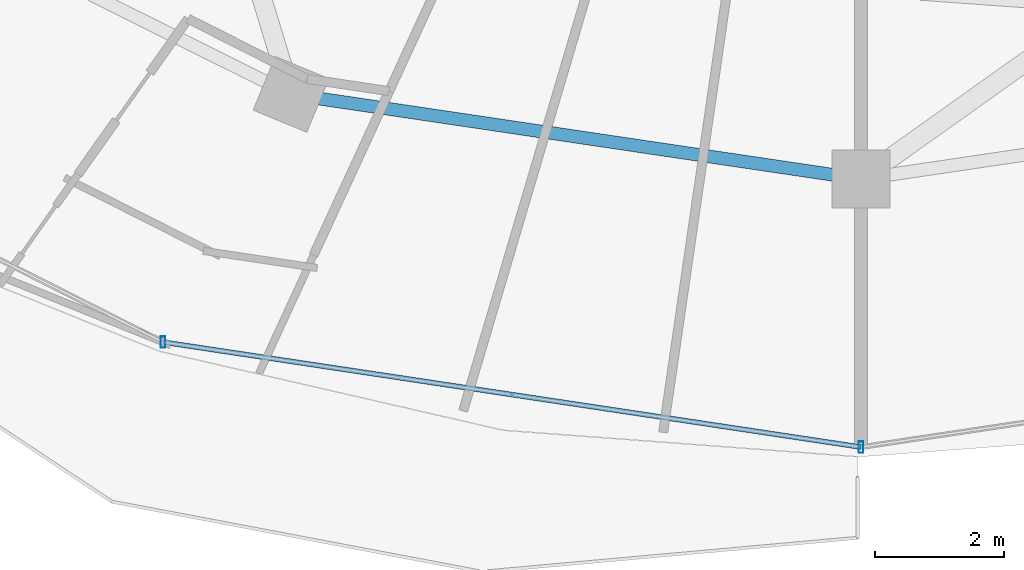
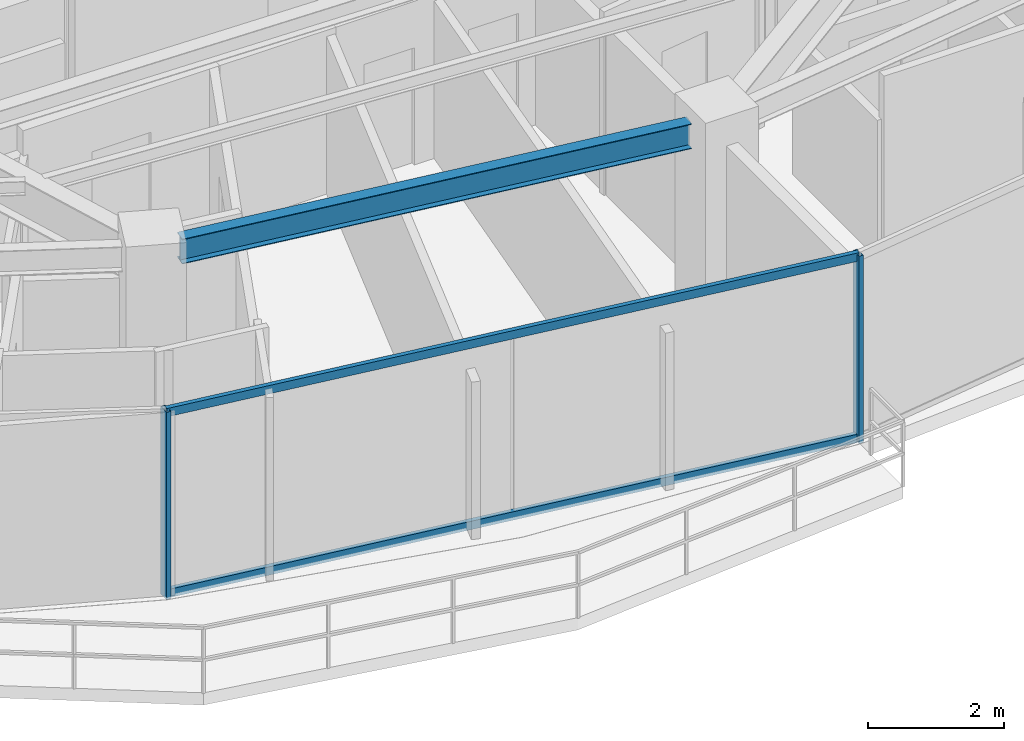
# One storey, part 5 of 32: 4 members, 1 beam, 1 element without a shape of its own.
"""IFC4 building model written with IfcOpenShell, lengths in metres."""

from ifc_helpers import new_model, si_unit, direction, frame, origin, origin_2d, place, context, subcontext, project, spatial, hollow_rectangle, i_section, extrude, material, material_profile, profile_set, type_object, element, aggregate, save


model = new_model("IFC4")

# Units and contexts
model_context = context("Model", 3, precision=1e-05, world=origin(), true_north=direction((0.0, 1.0)))
body_context = subcontext(model_context, "Body", "Model", "MODEL_VIEW")
ifc_project = project(units=[si_unit("LENGTHUNIT", "METRE"), si_unit("AREAUNIT", "SQUARE_METRE"), si_unit("VOLUMEUNIT", "CUBIC_METRE"), si_unit("PLANEANGLEUNIT", "RADIAN"), si_unit("MASSUNIT", "GRAM", prefix="KILO")], contexts=[model_context])

# Site, building, storey
site_placement = place(None, origin())
site = spatial("IfcSite", under=ifc_project, at=site_placement, CompositionType="ELEMENT")
building_placement = place(site_placement, origin())
building = spatial("IfcBuilding", under=site, at=building_placement, Name="Vorneva Point Tower", CompositionType="ELEMENT")
storey_placement = place(building_placement, frame((0.0, 0.0, 207.199951171875)))
storey = spatial("IfcBuildingStorey", under=building, at=storey_placement, Name="L56", CompositionType="ELEMENT", Elevation=207.199951171875)

# Beam
ifc_material_1 = material(Name="Steel S355", Category="steel")
ifc_material_profile_1 = material_profile(ifc_material_1, i_section(OverallWidth=0.198974609375, OverallDepth=0.446044921875, WebThickness=0.008056640625, FlangeThickness=0.011962890625, at=origin_2d()), Name="45B1")
ifc_profile_set_1 = profile_set([ifc_material_profile_1], Name="Steel S355")
beam_type = type_object("IfcBeamType", Name="BM-SPN-45B1", PredefinedType="SPANDREL", material=ifc_profile_set_1)
beam_placement = place(storey_placement, frame((29.609375, 10.04541015625, 3.067138671875), z_axis=(0.989165476332, -0.146804837907, 0.0), x_axis=(0.146804837907, 0.989165476332, 0.0)))
element("IfcBeam", 1, at=beam_placement, inside=storey, type_object=beam_type, Name="L56 Perimeter Spandrel Ring Beam 12", PredefinedType="SPANDREL", context=body_context, shape_type="SweptSolid", body=[
    extrude(i_section(OverallWidth=0.198974609375, OverallDepth=0.446044921875, WebThickness=0.008056640625, FlangeThickness=0.011962890625, at=origin_2d()), origin(), (0.0, 0.0, 1.0), 8.04736328125),
])

# Curtain wall, members
ifc_material_2 = material(Name="Pale anodised aluminium", Category="aluminium")
curtain_wall_type = type_object("IfcCurtainWallType", Name="CW-RES-SYS", PredefinedType="NOTDEFINED", material=ifc_material_2)
curtain_wall_placement = place(storey_placement, origin())
curtain_wall = element("IfcCurtainWall", 2, at=curtain_wall_placement, inside=storey, type_object=curtain_wall_type, Name="L56 Unitised Curtain Wall CW-L56-R03", PredefinedType="NOTDEFINED")
ifc_material_profile_2 = material_profile(ifc_material_2, hollow_rectangle(XDim=0.074951171875, YDim=0.179931640625, WallThickness=0.00390625, at=origin_2d()), Name="AL-MUL 180x75x4")
ifc_profile_set_2 = profile_set([ifc_material_profile_2], Name="Pale anodised aluminium")
member_type_1 = type_object("IfcMemberType", Name="CW-MUL-180", PredefinedType="MULLION", material=ifc_profile_set_2)
member_1_placement = place(storey_placement, frame((27.19677734375, 6.275146484375, -0.0400390625), z_axis=(0.0, 0.0, 1.0), x_axis=(1.0, 0.0, 0.0)))
member_1 = element("IfcMember", 3, at=member_1_placement, type_object=member_type_1, Name="CW-L56-R03 Mullion 03", PredefinedType="MULLION", context=body_context, shape_type="SweptSolid", body=[
    extrude(hollow_rectangle(XDim=0.074951171875, YDim=0.179931640625, WallThickness=0.00390625, at=origin_2d()), origin(), (0.0, 0.0, 1.0), 3.360107421875),
])
member_2_placement = place(storey_placement, frame((38.0, 4.64990234375, -0.0400390625), z_axis=(0.0, 0.0, 1.0), x_axis=(1.0, 0.0, 0.0)))
member_2 = element("IfcMember", 4, at=member_2_placement, type_object=member_type_1, Name="CW-L56-R03 Mullion 04", PredefinedType="MULLION", context=body_context, shape_type="SweptSolid", body=[
    extrude(hollow_rectangle(XDim=0.074951171875, YDim=0.179931640625, WallThickness=0.00390625, at=origin_2d()), origin(), (0.0, 0.0, 1.0), 3.360107421875),
])
ifc_material_profile_3 = material_profile(ifc_material_2, hollow_rectangle(XDim=0.074951171875, YDim=0.14990234375, WallThickness=0.00390625, at=origin_2d()), Name="AL-TRN 150x75x4")
ifc_profile_set_3 = profile_set([ifc_material_profile_3], Name="Pale anodised aluminium")
member_type_2 = type_object("IfcMemberType", Name="CW-TRN-150", PredefinedType="USERDEFINED", material=ifc_profile_set_3)
member_3_placement = place(storey_placement, frame((27.19677734375, 6.275146484375, 0.02001953125), z_axis=(0.988872333273, -0.148766624239, 0.0), x_axis=(0.148766624239, 0.988872333273, 0.0)))
member_3 = element("IfcMember", 5, at=member_3_placement, type_object=member_type_2, Name="CW-L56-R03 Transom 03.1", ObjectType="TRANSOM", PredefinedType="USERDEFINED", context=body_context, shape_type="SweptSolid", body=[
    extrude(hollow_rectangle(XDim=0.074951171875, YDim=0.14990234375, WallThickness=0.00390625, at=origin_2d()), origin(), (0.0, 0.0, 1.0), 10.9248046875),
])
member_4_placement = place(storey_placement, frame((27.19677734375, 6.275146484375, 3.27001953125), z_axis=(0.988872333273, -0.148766624239, 0.0), x_axis=(0.148766624239, 0.988872333273, 0.0)))
member_4 = element("IfcMember", 6, at=member_4_placement, type_object=member_type_2, Name="CW-L56-R03 Transom 03.2", ObjectType="TRANSOM", PredefinedType="USERDEFINED", context=body_context, shape_type="SweptSolid", body=[
    extrude(hollow_rectangle(XDim=0.074951171875, YDim=0.14990234375, WallThickness=0.00390625, at=origin_2d()), origin(), (0.0, 0.0, 1.0), 10.9248046875),
])
aggregate(curtain_wall, [member_1, member_2, member_3, member_4])

save(model, "model.ifc")
